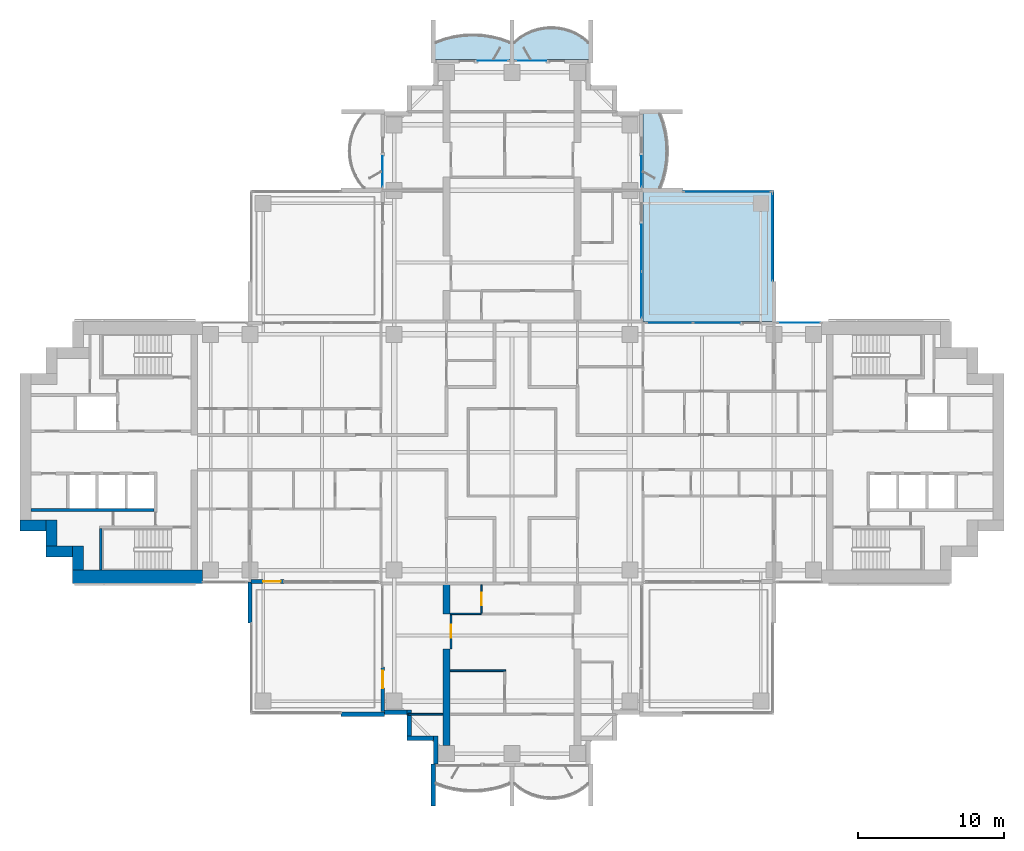
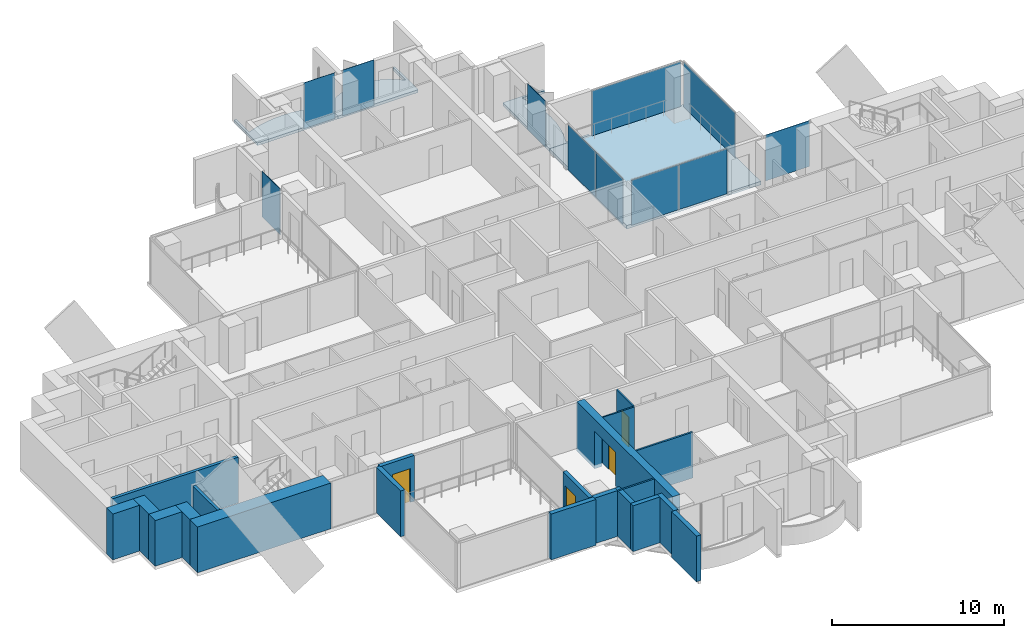
# One storey, part 8 of 19: 22 walls, 11 plates, 4 doors, 4 slabs, 4 openings, 9 elements without a shape of their own.
"""IFC4 building model written with IfcOpenShell, lengths in metres."""

from ifc_helpers import new_model, si_unit, direction, frame, frame_2d, origin, origin_2d, place, context, subcontext, project, spatial, polyline, rectangle, outline, extrude, material, layer, layer_set, material_profile, profile_set, type_object, element, fill, aggregate, save


model = new_model("IFC4")

# Units and contexts
model_context = context("Model", 3, precision=1e-05, world=origin(), true_north=direction((0.0, 1.0)))
body_context = subcontext(model_context, "Body", "Model", "MODEL_VIEW")
ifc_project = project(units=[si_unit("LENGTHUNIT", "METRE"), si_unit("AREAUNIT", "SQUARE_METRE"), si_unit("VOLUMEUNIT", "CUBIC_METRE"), si_unit("PLANEANGLEUNIT", "RADIAN"), si_unit("MASSUNIT", "GRAM", prefix="KILO")], contexts=[model_context])

# Site, building, storey
site_placement = place(None, origin())
site = spatial("IfcSite", under=ifc_project, at=site_placement, CompositionType="ELEMENT")
building_placement = place(site_placement, origin())
building = spatial("IfcBuilding", under=site, at=building_placement, Name="Perihelion Cross Residences", CompositionType="ELEMENT")
storey_placement = place(building_placement, frame((0.0, 0.0, 126.89990234375)))
storey = spatial("IfcBuildingStorey", under=building, at=storey_placement, Name="L30", CompositionType="ELEMENT", Elevation=126.89990234375)

# Slabs
ifc_material_1 = material(Name="Concrete C40/50", Category="concrete")
ifc_layer_1 = layer(ifc_material_1, 0.199951171875)
ifc_layer_set_1 = layer_set([ifc_layer_1], Name="Balcony slab 200")
slab_type_1 = type_object("IfcSlabType", Name="Balcony slab 200", PredefinedType="FLOOR", material=ifc_layer_set_1)
slab_1_placement = place(storey_placement, frame((0.0, 0.0, -0.199951171875)))
element("IfcSlab", 1, at=slab_1_placement, inside=storey, type_object=slab_type_1, Name="Slab BK1 L30 north side east bay 2 balcony", PredefinedType="FLOOR", context=body_context, shape_type="SweptSolid", body=[
    extrude(outline(polyline([(9.0, 18.0), (9.0, 23.39990234375), (11.699951171875, 23.39990234375), (11.699951171875, 23.25), (10.199951171875, 23.25), (10.423583984375, 22.612548828125), (10.57861328125, 21.97509765625), (10.669921875, 21.33740234375), (10.699951171875, 20.699951171875), (10.669921875, 20.0625), (10.57861328125, 19.425048828125), (10.423583984375, 18.78759765625), (10.199951171875, 18.14990234375), (11.699951171875, 18.14990234375), (11.699951171875, 18.0), (9.0, 18.0)])), origin(), (0.0, 0.0, 1.0), 0.199951171875),
])
slab_2_placement = place(storey_placement, frame((0.0, 0.0, -0.199951171875)))
element("IfcSlab", 2, at=slab_2_placement, inside=storey, type_object=slab_type_1, Name="Slab BK1 L30 north tip north bay 1 balcony", PredefinedType="FLOOR", context=body_context, shape_type="SweptSolid", body=[
    extrude(outline(polyline([(5.39990234375, 27.0), (0.0, 27.0), (0.0, 29.699951171875), (0.14990234375, 29.699951171875), (0.14990234375, 28.199951171875), (0.574951171875, 28.5400390625), (1.0, 28.792724609375), (1.425048828125, 28.9765625), (1.85009765625, 29.1025390625), (2.27490234375, 29.17578125), (2.699951171875, 29.199951171875), (3.125, 29.17578125), (3.550048828125, 29.1025390625), (3.97509765625, 28.9765625), (4.39990234375, 28.792724609375), (4.824951171875, 28.5400390625), (5.25, 28.199951171875), (5.25, 29.699951171875), (5.39990234375, 29.699951171875), (5.39990234375, 27.0)])), origin(), (0.0, 0.0, 1.0), 0.199951171875),
])
slab_3_placement = place(storey_placement, frame((0.0, 0.0, -0.199951171875)))
element("IfcSlab", 3, at=slab_3_placement, inside=storey, type_object=slab_type_1, Name="Slab BK1 L30 north tip north bay 2 balcony", PredefinedType="FLOOR", context=body_context, shape_type="SweptSolid", body=[
    extrude(outline(polyline([(0.0, 27.0), (-5.39990234375, 27.0), (-5.39990234375, 29.699951171875), (-5.25, 29.699951171875), (-5.25, 28.199951171875), (-4.612548828125, 28.423583984375), (-3.97509765625, 28.57861328125), (-3.33740234375, 28.669921875), (-2.699951171875, 28.699951171875), (-2.0625, 28.669921875), (-1.425048828125, 28.57861328125), (-0.78759765625, 28.423583984375), (-0.14990234375, 28.199951171875), (-0.14990234375, 29.699951171875), (0.0, 29.699951171875), (0.0, 27.0)])), origin(), (0.0, 0.0, 1.0), 0.199951171875),
])

# Curtain wall, plate
ifc_material_2 = material(Name="Bronze anodised aluminium, tinted glazing", Category="aluminium")
curtain_wall_type_1 = type_object("IfcCurtainWallType", Name="CW1", PredefinedType="NOTDEFINED", material=ifc_material_2)
curtain_wall_1_placement = place(storey_placement, origin())
curtain_wall_1 = element("IfcCurtainWall", 4, at=curtain_wall_1_placement, inside=storey, type_object=curtain_wall_type_1, Name="Curtain wall CW1 L30 east side north bay 1", PredefinedType="NOTDEFINED")
ifc_material_3 = material(Name="Tinted laminated glass", Category="glass")
ifc_layer_2 = layer(ifc_material_3, 0.028076171875)
ifc_layer_set_2 = layer_set([ifc_layer_2], Name="CW1 panel")
plate_type_1 = type_object("IfcPlateType", Name="CW1 panel", PredefinedType="CURTAIN_PANEL", material=ifc_layer_set_2)
plate_1_placement = place(storey_placement, frame((19.72509765625, 8.89990234375, 0.0), z_axis=(0.0, 0.0, 1.0), x_axis=(-1.0, 0.0, 0.0)))
plate_1 = element("IfcPlate", 5, at=plate_1_placement, type_object=plate_type_1, Name="CW1 panel 1", PredefinedType="CURTAIN_PANEL", context=body_context, shape_type="SweptSolid", body=[
    extrude(rectangle(XDim=2.929931640625, YDim=0.028076171875, at=origin_2d()), origin(), (0.0, 0.0, 1.0), 3.25),
])
aggregate(curtain_wall_1, [plate_1])

# Curtain wall, plates
curtain_wall_2_placement = place(storey_placement, origin())
curtain_wall_2 = element("IfcCurtainWall", 6, at=curtain_wall_2_placement, inside=storey, type_object=curtain_wall_type_1, Name="Curtain wall CW1 L30 east side north bay 2", PredefinedType="NOTDEFINED")
plate_2_placement = place(storey_placement, frame((14.052490234375, 8.89990234375, 0.000244140625), z_axis=(0.0, 0.0, 1.0), x_axis=(-1.0, 0.0, 0.0)))
plate_2 = element("IfcPlate", 7, at=plate_2_placement, type_object=plate_type_1, Name="CW1 panel 1", PredefinedType="CURTAIN_PANEL", context=body_context, shape_type="SweptSolid", body=[
    extrude(rectangle(XDim=3.195068359375, YDim=0.028076171875, at=origin_2d()), origin(), (0.0, 0.0, 1.0), 3.18994140625),
])
plate_3_placement = place(storey_placement, frame((10.827392578125, 8.89990234375, 0.000244140625), z_axis=(0.0, 0.0, 1.0), x_axis=(-1.0, 0.0, 0.0)))
plate_3 = element("IfcPlate", 8, at=plate_3_placement, type_object=plate_type_1, Name="CW1 panel 2", PredefinedType="CURTAIN_PANEL", context=body_context, shape_type="SweptSolid", body=[
    extrude(rectangle(XDim=3.135009765625, YDim=0.028076171875, at=origin_2d()), origin(), (0.0, 0.0, 1.0), 3.18994140625),
])
aggregate(curtain_wall_2, [plate_2, plate_3])

curtain_wall_3_placement = place(storey_placement, origin())
curtain_wall_3 = element("IfcCurtainWall", 9, at=curtain_wall_3_placement, inside=storey, type_object=curtain_wall_type_1, Name="Curtain wall CW1 L30 north side east bay 1", PredefinedType="NOTDEFINED")
plate_4_placement = place(storey_placement, frame((8.89990234375, 10.827392578125, 0.000244140625), z_axis=(0.0, 0.0, 1.0), x_axis=(0.0, 1.0, 0.0)))
plate_4 = element("IfcPlate", 10, at=plate_4_placement, type_object=plate_type_1, Name="CW1 panel 1", PredefinedType="CURTAIN_PANEL", context=body_context, shape_type="SweptSolid", body=[
    extrude(rectangle(XDim=3.135009765625, YDim=0.028076171875, at=origin_2d()), origin(), (0.0, 0.0, 1.0), 3.18994140625),
])
plate_5_placement = place(storey_placement, frame((8.89990234375, 14.052490234375, 0.000244140625), z_axis=(0.0, 0.0, 1.0), x_axis=(0.0, 1.0, 0.0)))
plate_5 = element("IfcPlate", 11, at=plate_5_placement, type_object=plate_type_1, Name="CW1 panel 2", PredefinedType="CURTAIN_PANEL", context=body_context, shape_type="SweptSolid", body=[
    extrude(rectangle(XDim=3.195068359375, YDim=0.028076171875, at=origin_2d()), origin(), (0.0, 0.0, 1.0), 3.18994140625),
])
aggregate(curtain_wall_3, [plate_4, plate_5])

# Curtain wall, plate
curtain_wall_4_placement = place(storey_placement, origin())
curtain_wall_4 = element("IfcCurtainWall", 12, at=curtain_wall_4_placement, inside=storey, type_object=curtain_wall_type_1, Name="Curtain wall CW1 L30 north side east bay 2", PredefinedType="NOTDEFINED")
plate_6_placement = place(storey_placement, frame((8.89990234375, 19.304931640625, 0.0), z_axis=(0.0, 0.0, 1.0), x_axis=(0.0, 1.0, 0.0)))
plate_6 = element("IfcPlate", 13, at=plate_6_placement, type_object=plate_type_1, Name="CW1 panel 1", PredefinedType="CURTAIN_PANEL", context=body_context, shape_type="SweptSolid", body=[
    extrude(rectangle(XDim=2.090087890625, YDim=0.028076171875, at=origin_2d()), origin(), (0.0, 0.0, 1.0), 3.25),
])
aggregate(curtain_wall_4, [plate_6])

curtain_wall_5_placement = place(storey_placement, origin())
curtain_wall_5 = element("IfcCurtainWall", 14, at=curtain_wall_5_placement, inside=storey, type_object=curtain_wall_type_1, Name="Curtain wall CW1 L30 north tip north bay 1", PredefinedType="NOTDEFINED")
plate_7_placement = place(storey_placement, frame((1.304931640625, 26.89990234375, 0.0), z_axis=(0.0, 0.0, 1.0), x_axis=(-1.0, 0.0, 0.0)))
plate_7 = element("IfcPlate", 15, at=plate_7_placement, type_object=plate_type_1, Name="CW1 panel 1", PredefinedType="CURTAIN_PANEL", context=body_context, shape_type="SweptSolid", body=[
    extrude(rectangle(XDim=2.090087890625, YDim=0.028076171875, at=origin_2d()), origin(), (0.0, 0.0, 1.0), 3.25),
])
aggregate(curtain_wall_5, [plate_7])

curtain_wall_6_placement = place(storey_placement, origin())
curtain_wall_6 = element("IfcCurtainWall", 16, at=curtain_wall_6_placement, inside=storey, type_object=curtain_wall_type_1, Name="Curtain wall CW1 L30 north tip north bay 2", PredefinedType="NOTDEFINED")
plate_8_placement = place(storey_placement, frame((-1.304931640625, 26.89990234375, 0.0), z_axis=(0.0, 0.0, 1.0), x_axis=(-1.0, 0.0, 0.0)))
plate_8 = element("IfcPlate", 17, at=plate_8_placement, type_object=plate_type_1, Name="CW1 panel 1", PredefinedType="CURTAIN_PANEL", context=body_context, shape_type="SweptSolid", body=[
    extrude(rectangle(XDim=2.090087890625, YDim=0.028076171875, at=origin_2d()), origin(), (0.0, 0.0, 1.0), 3.25),
])
aggregate(curtain_wall_6, [plate_8])

curtain_wall_7_placement = place(storey_placement, origin())
curtain_wall_7 = element("IfcCurtainWall", 18, at=curtain_wall_7_placement, inside=storey, type_object=curtain_wall_type_1, Name="Curtain wall CW1 L30 north side west bay 1", PredefinedType="NOTDEFINED")
plate_9_placement = place(storey_placement, frame((-8.89990234375, 19.304931640625, 0.0), z_axis=(0.0, 0.0, 1.0), x_axis=(0.0, -1.0, 0.0)))
plate_9 = element("IfcPlate", 19, at=plate_9_placement, type_object=plate_type_1, Name="CW1 panel 1", PredefinedType="CURTAIN_PANEL", context=body_context, shape_type="SweptSolid", body=[
    extrude(rectangle(XDim=2.090087890625, YDim=0.028076171875, at=origin_2d()), origin(), (0.0, 0.0, 1.0), 3.25),
])
aggregate(curtain_wall_7, [plate_9])

ifc_material_4 = material(Name="Bronze anodised aluminium, tinted glazing", Category="aluminium")
curtain_wall_type_2 = type_object("IfcCurtainWallType", Name="CW4", PredefinedType="NOTDEFINED", material=ifc_material_4)
curtain_wall_8_placement = place(storey_placement, origin())
curtain_wall_8 = element("IfcCurtainWall", 20, at=curtain_wall_8_placement, inside=storey, type_object=curtain_wall_type_2, Name="Curtain wall CW4 L30 pocket north-east 1 1", PredefinedType="NOTDEFINED")
ifc_material_5 = material(Name="Tinted laminated glass", Category="glass")
ifc_layer_3 = layer(ifc_material_5, 0.030029296875)
ifc_layer_set_3 = layer_set([ifc_layer_3], Name="CW4 panel")
plate_type_2 = type_object("IfcPlateType", Name="CW4 panel", PredefinedType="CURTAIN_PANEL", material=ifc_layer_set_3)
plate_10_placement = place(storey_placement, frame((14.784912109375, 17.89990234375, 0.000244140625), z_axis=(0.0, 0.0, 1.0), x_axis=(1.0, 0.0, 0.0)))
plate_10 = element("IfcPlate", 21, at=plate_10_placement, type_object=plate_type_2, Name="CW4 panel 1", PredefinedType="CURTAIN_PANEL", context=body_context, shape_type="SweptSolid", body=[
    extrude(rectangle(XDim=5.969970703125, YDim=0.030029296875, at=origin_2d()), origin(), (0.0, 0.0, 1.0), 3.18994140625),
])
aggregate(curtain_wall_8, [plate_10])

curtain_wall_9_placement = place(storey_placement, origin())
curtain_wall_9 = element("IfcCurtainWall", 22, at=curtain_wall_9_placement, inside=storey, type_object=curtain_wall_type_2, Name="Curtain wall CW4 L30 pocket north-east 1 2", PredefinedType="NOTDEFINED")
plate_11_placement = place(storey_placement, frame((17.89990234375, 14.784912109375, 0.000244140625), z_axis=(0.0, 0.0, 1.0), x_axis=(0.0, -1.0, 0.0)))
plate_11 = element("IfcPlate", 23, at=plate_11_placement, type_object=plate_type_2, Name="CW4 panel 1", PredefinedType="CURTAIN_PANEL", context=body_context, shape_type="SweptSolid", body=[
    extrude(rectangle(XDim=5.969970703125, YDim=0.030029296875, at=origin_2d()), origin(), (0.0, 0.0, 1.0), 3.18994140625),
])
aggregate(curtain_wall_9, [plate_11])

# Slab
ifc_material_6 = material(Name="Concrete C40/50", Category="concrete")
ifc_layer_4 = layer(ifc_material_6, 0.25)
ifc_layer_set_4 = layer_set([ifc_layer_4], Name="Winter garden slab")
slab_type_2 = type_object("IfcSlabType", Name="Winter garden slab", PredefinedType="FLOOR", material=ifc_layer_set_4)
slab_4_placement = place(storey_placement, frame((0.0, 0.0, -0.25)))
element("IfcSlab", 24, at=slab_4_placement, inside=storey, type_object=slab_type_2, Name="Slab BK3 L30 pocket north-east", PredefinedType="FLOOR", context=body_context, shape_type="SweptSolid", body=[
    extrude(outline(polyline([(18.0, 9.0), (18.0, 18.0), (9.0, 18.0), (9.0, 9.0), (18.0, 9.0)])), origin(), (0.0, 0.0, 1.0), 0.25),
])

# Wall, opening, door
ifc_material_7 = material(Name="Concrete C30/37, bronze-clad", Category="concrete")
ifc_layer_5 = layer(ifc_material_7, 0.25)
ifc_layer_set_5 = layer_set([ifc_layer_5], Name="Bronze-clad pier wall 250")
wall_type_1 = type_object("IfcWallType", Name="Bronze-clad pier wall 250", PredefinedType="SOLIDWALL", material=ifc_layer_set_5)
wall_1_placement = place(storey_placement, frame((-17.93994140625, -8.875, 0.0), z_axis=(0.0, 0.0, 1.0), x_axis=(1.0, 0.0, 0.0)))
wall_1 = element("IfcWall", 25, at=wall_1_placement, inside=storey, type_object=wall_type_1, Name="Wall FW1 L30 west side south bay 2 pier", PredefinedType="SOLIDWALL", context=body_context, shape_type="SweptSolid", body=[
    extrude(rectangle(XDim=2.2900390625, YDim=0.25, at=frame_2d((1.14501953125, 0.0))), origin(), (0.0, 0.0, 1.0), 3.25),
])
opening_1_placement = place(wall_1_placement, frame((0.840087890625, 0.0, 0.0)))
opening_1 = element("IfcOpeningElement", 26, at=opening_1_placement, cuts=wall_1, Name="Opening L30.E09", PredefinedType="OPENING", context=body_context, shape_type="SweptSolid", body=[
    extrude(rectangle(XDim=1.199951171875, YDim=2.39990234375, at=frame_2d((0.60009765625, 1.199951171875))), frame((0.0, 0.135009765625, 0.0), z_axis=(0.0, -1.0, 0.0), x_axis=(1.0, 0.0, 0.0)), (0.0, 0.0, 1.0), 0.27001953125),
])
ifc_material_8 = material(Name="Bronze anodised aluminium, glazed", Category="aluminium")
door_type_1 = type_object("IfcDoorType", Name="Balcony door 1200 x 2400", OperationType="NOTDEFINED", PredefinedType="DOOR", material=ifc_material_8)
door_1_placement = place(opening_1_placement, origin())
door_1 = element("IfcDoor", 27, at=door_1_placement, inside=storey, type_object=door_type_1, Name="Door L30.E09 west side south bay 2", OperationType="SINGLE_SWING_RIGHT", OverallHeight=2.39990234375, OverallWidth=1.199951171875, PredefinedType="DOOR", context=body_context, shape_type="SweptSolid", body=[
    extrude(rectangle(XDim=1.199951171875, YDim=2.39990234375, at=frame_2d((0.60009765625, 1.199951171875))), frame((0.0, 0.02490234375, 0.0), z_axis=(0.0, -1.0, 0.0), x_axis=(1.0, 0.0, 0.0)), (0.0, 0.0, 1.0), 0.050048828125),
])
fill(opening_1, door_1)

wall_2_placement = place(storey_placement, frame((-8.875, -14.75, 0.0), z_axis=(0.0, 0.0, 1.0), x_axis=(0.0, -1.0, 0.0)))
wall_2 = element("IfcWall", 28, at=wall_2_placement, inside=storey, type_object=wall_type_1, Name="Wall FW1 L30 south side west bay 1 pier", PredefinedType="SOLIDWALL", context=body_context, shape_type="SweptSolid", body=[
    extrude(rectangle(XDim=3.050048828125, YDim=0.25, at=frame_2d((1.52490234375, 0.0))), origin(), (0.0, 0.0, 1.0), 3.25),
])
opening_2_placement = place(wall_2_placement, frame((0.25, 0.0, 0.0)))
opening_2 = element("IfcOpeningElement", 29, at=opening_2_placement, cuts=wall_2, Name="Opening L30.E10", PredefinedType="OPENING", context=body_context, shape_type="SweptSolid", body=[
    extrude(rectangle(XDim=1.199951171875, YDim=2.39990234375, at=frame_2d((0.60009765625, 1.199951171875))), frame((0.0, 0.135009765625, 0.0), z_axis=(0.0, -1.0, 0.0), x_axis=(1.0, 0.0, 0.0)), (0.0, 0.0, 1.0), 0.27001953125),
])
door_2_placement = place(opening_2_placement, origin())
door_2 = element("IfcDoor", 30, at=door_2_placement, inside=storey, type_object=door_type_1, Name="Door L30.E10 south side west bay 1", OperationType="SINGLE_SWING_LEFT", OverallHeight=2.39990234375, OverallWidth=1.199951171875, PredefinedType="DOOR", context=body_context, shape_type="SweptSolid", body=[
    extrude(rectangle(XDim=1.199951171875, YDim=2.39990234375, at=frame_2d((0.60009765625, 1.199951171875))), frame((0.0, 0.02490234375, 0.0), z_axis=(0.0, -1.0, 0.0), x_axis=(1.0, 0.0, 0.0)), (0.0, 0.0, 1.0), 0.050048828125),
])
fill(opening_2, door_2)

# Walls
ifc_material_9 = material(Name="Concrete C30/37, bronze-clad", Category="concrete")
ifc_layer_6 = layer(ifc_material_9, 0.300048828125)
ifc_layer_set_6 = layer_set([ifc_layer_6], Name="Bronze-clad serration wall 300")
wall_type_2 = type_object("IfcWallType", Name="Bronze-clad serration wall 300", PredefinedType="SOLIDWALL", material=ifc_layer_set_6)
wall_3_placement = place(storey_placement, frame((-8.75, -17.85009765625, 0.0), z_axis=(0.0, 0.0, 1.0), x_axis=(1.0, 0.0, 0.0)))
element("IfcWall", 31, at=wall_3_placement, inside=storey, type_object=wall_type_2, Name="Wall SR1 L30 south corner south-west 1", PredefinedType="SOLIDWALL", context=body_context, shape_type="SweptSolid", body=[
    extrude(rectangle(XDim=1.550048828125, YDim=0.300048828125, at=frame_2d((0.77490234375, 0.0))), origin(), (0.0, 0.0, 1.0), 3.25),
])
for number, where, z_axis, x_axis, name in (
    (32, (-7.050048828125, -17.699951171875, 0.0), (0.0, 0.0, 1.0), (0.0, -1.0, 0.0), "Wall SR1 L30 south corner south-west 2"),
    (33, (-7.199951171875, -19.64990234375, 0.0), (0.0, 0.0, 1.0), (1.0, 0.0, 0.0), "Wall SR1 L30 south corner south-west 3"),
):
    element("IfcWall", number, at=place(storey_placement, frame(where, z_axis=z_axis, x_axis=x_axis)), inside=storey, type_object=wall_type_2, Name=name, PredefinedType="SOLIDWALL", context=body_context, shape_type="SweptSolid", body=[
        extrude(rectangle(XDim=1.800048828125, YDim=0.300048828125, at=frame_2d((0.89990234375, 0.0))), origin(), (0.0, 0.0, 1.0), 3.25),
    ])
wall_4_placement = place(storey_placement, frame((-5.25, -19.5, 0.0), z_axis=(0.0, 0.0, 1.0), x_axis=(0.0, -1.0, 0.0)))
element("IfcWall", 34, at=wall_4_placement, inside=storey, type_object=wall_type_2, Name="Wall SR1 L30 south corner south-west 4", PredefinedType="SOLIDWALL", context=body_context, shape_type="SweptSolid", body=[
    extrude(rectangle(XDim=1.919921875, YDim=0.300048828125, at=frame_2d((0.9599609375, 0.0))), origin(), (0.0, 0.0, 1.0), 3.25),
])
ifc_material_10 = material(Name="Concrete C60/75", Category="concrete")
ifc_layer_7 = layer(ifc_material_10, 0.75)
ifc_layer_set_7 = layer_set([ifc_layer_7], Name="Core wall, outer 750")
wall_type_3 = type_object("IfcWallType", Name="Core wall, outer 750", PredefinedType="SHEAR", material=ifc_layer_set_7)
wall_5_placement = place(storey_placement, frame((-29.824951171875, -8.10009765625, 0.0), z_axis=(0.0, 0.0, 1.0), x_axis=(0.0, 1.0, 0.0)))
element("IfcWall", 35, at=wall_5_placement, inside=storey, type_object=wall_type_3, Name="West core core wall, outer", PredefinedType="SHEAR", context=body_context, shape_type="SweptSolid", body=[
    extrude(rectangle(XDim=1.650146484375, YDim=0.75, at=frame_2d((0.8251953125, 0.0))), origin(), (0.0, 0.0, 1.0), 3.25),
])
for number, where, z_axis, x_axis, name in (
    (36, (-32.0, -6.824951171875, 0.0), (0.0, 0.0, 1.0), (1.0, 0.0, 0.0), "West core core wall, outer"),
    (37, (-31.625, -6.449951171875, 0.0), (0.0, 0.0, 1.0), (0.0, 1.0, 0.0), "West core core wall, outer"),
    (38, (-33.800048828125, -5.02490234375, 0.0), (0.0, 0.0, 1.0), (1.0, 0.0, 0.0), "West core core wall, outer"),
):
    element("IfcWall", number, at=place(storey_placement, frame(where, z_axis=z_axis, x_axis=x_axis)), inside=storey, type_object=wall_type_3, Name=name, PredefinedType="SHEAR", context=body_context, shape_type="SweptSolid", body=[
        extrude(rectangle(XDim=1.800048828125, YDim=0.75, at=frame_2d((0.89990234375, 0.0))), origin(), (0.0, 0.0, 1.0), 3.25),
    ])
ifc_material_11 = material(Name="Concrete C60/75", Category="concrete")
ifc_layer_8 = layer(ifc_material_11, 0.89990234375)
ifc_layer_set_8 = layer_set([ifc_layer_8], Name="Core wall, outer 900")
wall_type_4 = type_object("IfcWallType", Name="Core wall, outer 900", PredefinedType="SHEAR", material=ifc_layer_set_8)
wall_6_placement = place(storey_placement, frame((-30.199951171875, -8.550048828125, 0.0), z_axis=(0.0, 0.0, 1.0), x_axis=(1.0, 0.0, 0.0)))
element("IfcWall", 39, at=wall_6_placement, inside=storey, type_object=wall_type_4, Name="West core core wall, outer", PredefinedType="SHEAR", context=body_context, shape_type="SweptSolid", body=[
    extrude(rectangle(XDim=8.949951171875, YDim=0.89990234375, at=frame_2d((4.47509765625, 0.0))), origin(), (0.0, 0.0, 1.0), 3.25),
])

# Wall, opening, door
ifc_material_12 = material(Name="Plasterboard partition")
ifc_layer_9 = layer(ifc_material_12, 0.1201171875)
ifc_layer_set_9 = layer_set([ifc_layer_9], Name="Infill panel 120")
wall_type_5 = type_object("IfcWallType", Name="Infill panel 120", PredefinedType="PARTITIONING", material=ifc_layer_set_9)
wall_7_placement = place(storey_placement, frame((-4.18994140625, -11.10009765625, 0.0), z_axis=(0.0, 0.0, 1.0), x_axis=(0.0, -1.0, 0.0)))
wall_7 = element("IfcWall", 40, at=wall_7_placement, inside=storey, type_object=wall_type_5, Name="Partition L30 WI06", PredefinedType="PARTITIONING", context=body_context, shape_type="SweptSolid", body=[
    extrude(rectangle(XDim=2.39990234375, YDim=0.1201171875, at=frame_2d((1.199951171875, 0.0))), origin(), (0.0, 0.0, 1.0), 2.400146484375),
])
opening_3_placement = place(wall_7_placement, frame((0.75, 0.0, 0.0)))
opening_3 = element("IfcOpeningElement", 41, at=opening_3_placement, cuts=wall_7, Name="Opening L30.A54", PredefinedType="OPENING", context=body_context, shape_type="SweptSolid", body=[
    extrude(rectangle(XDim=0.89990234375, YDim=2.10009765625, at=frame_2d((0.449951171875, 1.050048828125))), frame((0.0, 0.070068359375, 0.0), z_axis=(0.0, -1.0, 0.0), x_axis=(1.0, 0.0, 0.0)), (0.0, 0.0, 1.0), 0.14013671875),
])
ifc_material_13 = material(Name="Timber door leaf", Category="wood")
door_type_2 = type_object("IfcDoorType", Name="Interior room door 900 x 2100", OperationType="SINGLE_SWING_LEFT", PredefinedType="DOOR", material=ifc_material_13)
door_3_placement = place(opening_3_placement, origin())
door_3 = element("IfcDoor", 42, at=door_3_placement, inside=storey, type_object=door_type_2, Name="Door L30.A54", OperationType="SINGLE_SWING_RIGHT", OverallHeight=2.10009765625, OverallWidth=0.89990234375, PredefinedType="DOOR", context=body_context, shape_type="SweptSolid", body=[
    extrude(rectangle(XDim=0.89990234375, YDim=2.10009765625, at=frame_2d((0.449951171875, 1.050048828125))), frame((0.0, 0.02490234375, 0.0), z_axis=(0.0, -1.0, 0.0), x_axis=(1.0, 0.0, 0.0)), (0.0, 0.0, 1.0), 0.050048828125),
])
fill(opening_3, door_3)

# Walls
ifc_material_14 = material(Name="Plasterboard partition")
ifc_layer_10 = layer(ifc_material_14, 0.1201171875)
ifc_layer_set_10 = layer_set([ifc_layer_10], Name="Partition wall 120")
wall_type_6 = type_object("IfcWallType", Name="Partition wall 120", PredefinedType="PARTITIONING", material=ifc_layer_set_10)
wall_8_placement = place(storey_placement, frame((-0.43994140625, -15.0, 0.0), z_axis=(0.0, 0.0, 1.0), x_axis=(-1.0, 0.0, 0.0)))
element("IfcWall", 43, at=wall_8_placement, inside=storey, type_object=wall_type_6, Name="Partition L30 W078", PredefinedType="PARTITIONING", context=body_context, shape_type="SweptSolid", body=[
    extrude(rectangle(XDim=3.81005859375, YDim=0.1201171875, at=frame_2d((1.905029296875, 0.0))), origin(), (0.0, 0.0, 1.0), 3.25),
])
wall_9_placement = place(storey_placement, frame((-4.75, -18.0, 0.0), z_axis=(0.0, 0.0, 1.0), x_axis=(-1.0, 0.0, 0.0)))
element("IfcWall", 44, at=wall_9_placement, inside=storey, type_object=wall_type_6, Name="Partition L30 W083", PredefinedType="PARTITIONING", context=body_context, shape_type="SweptSolid", body=[
    extrude(rectangle(XDim=2.3701171875, YDim=0.1201171875, at=frame_2d((1.18505859375, 0.0))), origin(), (0.0, 0.0, 1.0), 3.25),
])
ifc_material_15 = material(Name="Precast concrete C50/60", Category="concrete")
ifc_layer_11 = layer(ifc_material_15, 0.300048828125)
ifc_layer_set_11 = layer_set([ifc_layer_11], Name="Precast concrete C50/60 blade wall 300")
wall_type_7 = type_object("IfcWallType", Name="Precast concrete C50/60 blade wall 300", PredefinedType="SOLIDWALL", material=ifc_layer_set_11)
wall_10_placement = place(storey_placement, frame((-18.0, -8.919921875, 0.0), z_axis=(0.0, 0.0, 1.0), x_axis=(0.0, -1.0, 0.0)))
element("IfcWall", 45, at=wall_10_placement, inside=storey, type_object=wall_type_7, Name="Wall BL1 L30 no. 1", PredefinedType="SOLIDWALL", context=body_context, shape_type="SweptSolid", body=[
    extrude(rectangle(XDim=2.820068359375, YDim=0.300048828125, at=frame_2d((1.41015625, 0.0))), origin(), (0.0, 0.0, 1.0), 3.25),
])
wall_11_placement = place(storey_placement, frame((-8.75, -18.0, 0.0), z_axis=(0.0, 0.0, 1.0), x_axis=(-1.0, 0.0, 0.0)))
element("IfcWall", 46, at=wall_11_placement, inside=storey, type_object=wall_type_7, Name="Wall BL1 L30 no. 5", PredefinedType="SOLIDWALL", context=body_context, shape_type="SweptSolid", body=[
    extrude(rectangle(XDim=2.989990234375, YDim=0.300048828125, at=frame_2d((1.4951171875, 0.0))), origin(), (0.0, 0.0, 1.0), 3.25),
])
wall_12_placement = place(storey_placement, frame((-5.39990234375, -21.419921875, 0.0), z_axis=(0.0, 0.0, 1.0), x_axis=(0.0, -1.0, 0.0)))
element("IfcWall", 47, at=wall_12_placement, inside=storey, type_object=wall_type_7, Name="Wall BL1 L30 no. 3", PredefinedType="SOLIDWALL", context=body_context, shape_type="SweptSolid", body=[
    extrude(rectangle(XDim=2.880126953125, YDim=0.300048828125, at=frame_2d((1.43994140625, 0.0))), origin(), (0.0, 0.0, 1.0), 3.25),
])
ifc_material_16 = material(Name="Concrete C50/60", Category="concrete")
ifc_layer_12 = layer(ifc_material_16, 0.199951171875)
ifc_layer_set_12 = layer_set([ifc_layer_12], Name="Shaft wall 200")
wall_type_8 = type_object("IfcWallType", Name="Shaft wall 200", PredefinedType="SOLIDWALL", material=ifc_layer_set_12)
wall_13_placement = place(storey_placement, frame((-33.050048828125, -3.949951171875, 0.0), z_axis=(0.0, 0.0, 1.0), x_axis=(1.0, 0.0, 0.0)))
element("IfcWall", 48, at=wall_13_placement, inside=storey, type_object=wall_type_8, Name="West core shaft wall", PredefinedType="SOLIDWALL", context=body_context, shape_type="SweptSolid", body=[
    extrude(rectangle(XDim=8.449951171875, YDim=0.199951171875, at=frame_2d((4.22509765625, 0.0))), origin(), (0.0, 0.0, 1.0), 3.25),
])
ifc_material_17 = material(Name="Concrete C50/60", Category="concrete")
ifc_layer_13 = layer(ifc_material_17, 0.199951171875)
ifc_layer_set_13 = layer_set([ifc_layer_13], Name="Stair wall 200")
wall_type_9 = type_object("IfcWallType", Name="Stair wall 200", PredefinedType="SOLIDWALL", material=ifc_layer_set_13)
wall_14_placement = place(storey_placement, frame((-28.25, -8.10009765625, 0.0), z_axis=(0.0, 0.0, 1.0), x_axis=(0.0, 1.0, 0.0)))
element("IfcWall", 49, at=wall_14_placement, inside=storey, type_object=wall_type_9, Name="West core stair wall", PredefinedType="SOLIDWALL", context=body_context, shape_type="SweptSolid", body=[
    extrude(rectangle(XDim=2.85009765625, YDim=0.199951171875, at=frame_2d((1.425048828125, 0.0))), origin(), (0.0, 0.0, 1.0), 3.25),
])
ifc_material_18 = material(Name="Concrete C60/75", Category="concrete")
ifc_material_profile = material_profile(ifc_material_18, outline(polyline([(0.0, 0.0), (6.64990234375, 0.0), (6.64990234375, 2.64990234375), (9.050048828125, 2.64990234375), (9.050048828125, 0.0), (11.14990234375, 0.0), (11.14990234375, 3.5), (0.0, 3.5), (0.0, 0.0)])), Name="Tip spine wall")
ifc_profile_set = profile_set([ifc_material_profile], Name="Concrete C60/75")
wall_type_10 = type_object("IfcWallType", Name="Tip spine wall 500 with 1 door openings 11150 long 3500 high concrete C60/75", PredefinedType="SHEAR", material=ifc_profile_set)
wall_15_placement = place(storey_placement, frame((-4.75, -20.14990234375, -0.25), z_axis=(1.0, 0.0, 0.0), x_axis=(0.0, 1.0, 0.0)))
element("IfcWall", 50, at=wall_15_placement, inside=storey, type_object=wall_type_10, Name="Shear wall SW33 L30 south west", PredefinedType="SHEAR", context=body_context, shape_type="SweptSolid", body=[
    extrude(outline(polyline([(0.0, 0.0), (6.64990234375, 0.0), (6.64990234375, 2.64990234375), (9.050048828125, 2.64990234375), (9.050048828125, 0.0), (11.14990234375, 0.0), (11.14990234375, 3.5), (0.0, 3.5), (0.0, 0.0)])), origin(), (0.0, 0.0, 1.0), 0.5),
])

# Wall, opening, door
ifc_material_19 = material(Name="Plasterboard partition")
ifc_layer_14 = layer(ifc_material_19, 0.10009765625)
ifc_layer_set_14 = layer_set([ifc_layer_14], Name="Wet room wall 100")
wall_type_11 = type_object("IfcWallType", Name="Wet room wall 100", PredefinedType="PARTITIONING", material=ifc_layer_set_14)
wall_16_placement = place(storey_placement, frame((-2.10009765625, -11.0400390625, 0.0), z_axis=(0.0, 0.0, 1.0), x_axis=(0.0, 1.0, 0.0)))
wall_16 = element("IfcWall", 51, at=wall_16_placement, inside=storey, type_object=wall_type_11, Name="Partition L30 W074", PredefinedType="PARTITIONING", context=body_context, shape_type="SweptSolid", body=[
    extrude(rectangle(XDim=1.93994140625, YDim=0.10009765625, at=frame_2d((0.969970703125, 0.0))), origin(), (0.0, 0.0, 1.0), 3.25),
])
opening_4_placement = place(wall_16_placement, frame((0.544921875, 0.0, 0.0)))
opening_4 = element("IfcOpeningElement", 52, at=opening_4_placement, cuts=wall_16, Name="Opening L30.A40", PredefinedType="OPENING", context=body_context, shape_type="SweptSolid", body=[
    extrude(rectangle(XDim=0.85009765625, YDim=2.10009765625, at=frame_2d((0.425048828125, 1.050048828125))), frame((0.0, 0.06005859375, 0.0), z_axis=(0.0, -1.0, 0.0), x_axis=(1.0, 0.0, 0.0)), (0.0, 0.0, 1.0), 0.1201171875),
])
ifc_material_20 = material(Name="Timber door leaf", Category="wood")
door_type_3 = type_object("IfcDoorType", Name="Interior bathroom door 850 x 2100", OperationType="SINGLE_SWING_LEFT", PredefinedType="DOOR", material=ifc_material_20)
door_4_placement = place(opening_4_placement, origin())
door_4 = element("IfcDoor", 53, at=door_4_placement, inside=storey, type_object=door_type_3, Name="Door L30.A40", OperationType="SINGLE_SWING_RIGHT", OverallHeight=2.10009765625, OverallWidth=0.85009765625, PredefinedType="DOOR", context=body_context, shape_type="SweptSolid", body=[
    extrude(rectangle(XDim=0.85009765625, YDim=2.10009765625, at=frame_2d((0.425048828125, 1.050048828125))), frame((0.0, 0.02490234375, 0.0), z_axis=(0.0, -1.0, 0.0), x_axis=(1.0, 0.0, 0.0)), (0.0, 0.0, 1.0), 0.050048828125),
])
fill(opening_4, door_4)

# Wall
wall_17_placement = place(storey_placement, frame((-2.10009765625, -11.10009765625, 0.0), z_axis=(0.0, 0.0, 1.0), x_axis=(-1.0, 0.0, 0.0)))
element("IfcWall", 54, at=wall_17_placement, inside=storey, type_object=wall_type_11, Name="Partition L30 W076", PredefinedType="PARTITIONING", context=body_context, shape_type="SweptSolid", body=[
    extrude(rectangle(XDim=2.14990234375, YDim=0.10009765625, at=frame_2d((1.074951171875, 0.0))), origin(), (0.0, 0.0, 1.0), 3.25),
])

save(model, "model.ifc")
